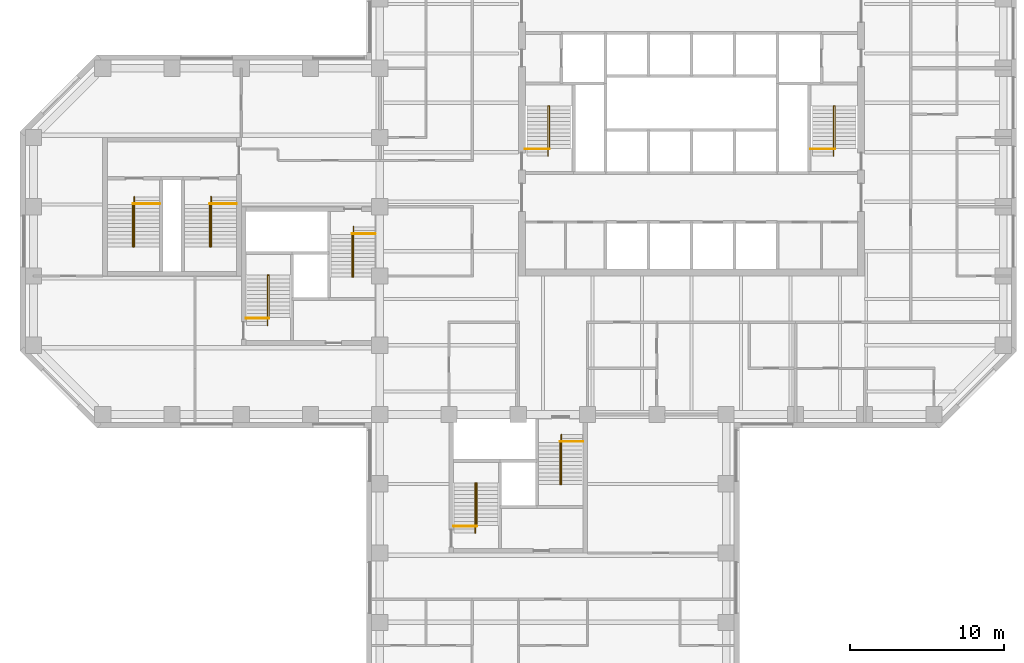
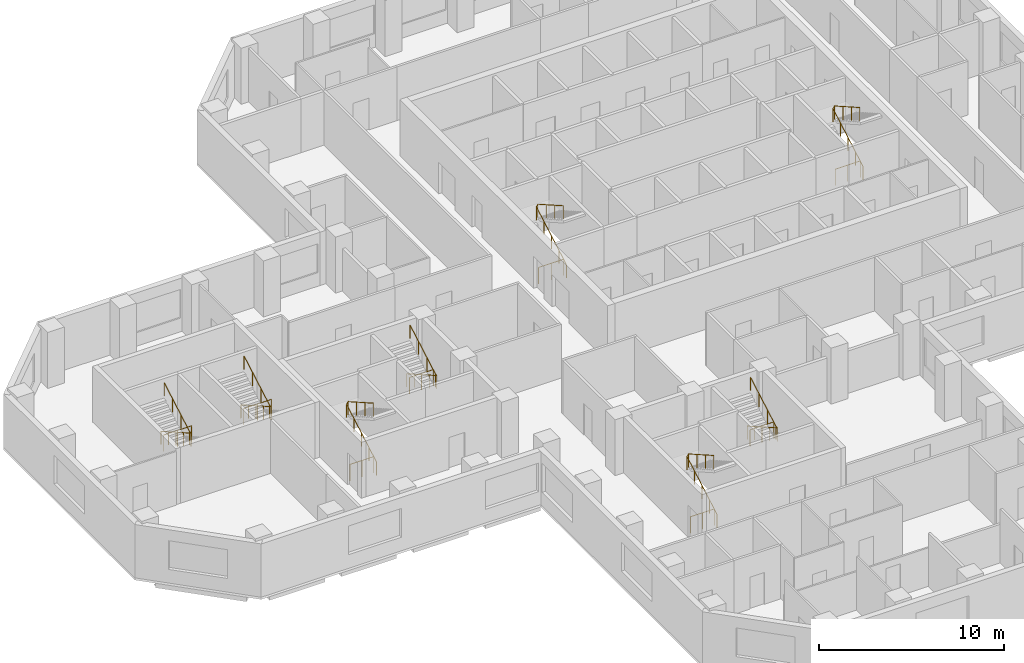
# One storey, part 11 of 11: 16 railings.
"""IFC4 building model written with IfcOpenShell, lengths in metres."""

from ifc_helpers import new_model, si_unit, direction, frame, origin, origin_2d, place, context, subcontext, project, spatial, circle, extrude, material, type_object, element, save


model = new_model("IFC4")

# Units and contexts
model_context = context("Model", 3, precision=1e-05, world=origin(), true_north=direction((0.0, 1.0)))
body_context = subcontext(model_context, "Body", "Model", "MODEL_VIEW")
ifc_project = project(units=[si_unit("LENGTHUNIT", "METRE"), si_unit("AREAUNIT", "SQUARE_METRE"), si_unit("VOLUMEUNIT", "CUBIC_METRE"), si_unit("PLANEANGLEUNIT", "RADIAN"), si_unit("MASSUNIT", "GRAM", prefix="KILO")], contexts=[model_context])

# Site, building, storey
site_placement = place(None, origin())
site = spatial("IfcSite", under=ifc_project, at=site_placement, CompositionType="ELEMENT")
building_placement = place(site_placement, origin())
building = spatial("IfcBuilding", under=site, at=building_placement, Name="Quoin Convention Tower", CompositionType="ELEMENT")
storey_placement = place(building_placement, frame((0.0, 0.0, 130.699951171875)))
storey = spatial("IfcBuildingStorey", under=building, at=storey_placement, Name="L34", CompositionType="ELEMENT", Elevation=130.699951171875)

# Railings
ifc_material = material(Name="Stainless steel", Category="steel")
railing_type_1 = type_object("IfcRailingType", Name="Stair handrail 900", PredefinedType="HANDRAIL", material=ifc_material)
railing_1_placement = place(storey_placement, frame((46.929931640625, 57.300048828125, 0.142333984375)))
element("IfcRailing", 1, at=railing_1_placement, inside=storey, type_object=railing_type_1, Name="SD1 handrail 1", PredefinedType="HANDRAIL", context=body_context, shape_type="SweptSolid", body=[
    extrude(circle(Radius=0.02392578125, at=origin_2d()), frame((0.0, 0.0, 0.8759765625), z_axis=(0.0, 0.869053504361, 0.494718108177), x_axis=(-1.0, 0.0, 0.0)), (0.0, 0.0, 1.0), 3.73974609375),
    extrude(circle(Radius=0.02392578125, at=origin_2d()), frame((0.0, 3.25, 2.72607421875), z_axis=(0.53481069233, 0.0, 0.844971906852), x_axis=(0.0, 1.0, 0.0)), (0.0, 0.0, 1.0), 0.16845703125),
    extrude(circle(Radius=0.02392578125, at=origin_2d()), frame((0.090087890625, 3.25, 2.8681640625), z_axis=(0.0, -0.869091777644, 0.494650868828), x_axis=(1.0, 0.0, 0.0)), (0.0, 0.0, 1.0), 3.164306640625),
    extrude(circle(Radius=0.02099609375, at=origin_2d()), origin(), (0.0, 0.0, 1.0), 0.851806640625),
    extrude(circle(Radius=0.02099609375, at=origin_2d()), frame((0.0, 0.8125, 0.46240234375)), (0.0, 0.0, 1.0), 0.851806640625),
    extrude(circle(Radius=0.02099609375, at=origin_2d()), frame((0.0, 1.625, 0.925048828125)), (0.0, 0.0, 1.0), 0.851806640625),
    extrude(circle(Radius=0.02099609375, at=origin_2d()), frame((0.0, 2.4375, 1.3876953125)), (0.0, 0.0, 1.0), 0.851806640625),
    extrude(circle(Radius=0.02099609375, at=origin_2d()), frame((0.0, 3.25, 1.85009765625)), (0.0, 0.0, 1.0), 0.851806640625),
    extrude(circle(Radius=0.02099609375, at=origin_2d()), frame((0.090087890625, 3.25, 1.992431640625)), (0.0, 0.0, 1.0), 0.851806640625),
    extrude(circle(Radius=0.02099609375, at=origin_2d()), frame((0.090087890625, 2.333251953125, 2.51416015625)), (0.0, 0.0, 1.0), 0.851806640625),
    extrude(circle(Radius=0.02099609375, at=origin_2d()), frame((0.090087890625, 1.416748046875, 3.035888671875)), (0.0, 0.0, 1.0), 0.851806640625),
    extrude(circle(Radius=0.02099609375, at=origin_2d()), frame((0.090087890625, 0.5, 3.5576171875)), (0.0, 0.0, 1.0), 0.851806640625),
])
railing_2_placement = place(storey_placement, frame((65.47998046875, 57.300048828125, 0.142333984375)))
element("IfcRailing", 2, at=railing_2_placement, inside=storey, type_object=railing_type_1, Name="SD2 handrail 1", PredefinedType="HANDRAIL", context=body_context, shape_type="SweptSolid", body=[
    extrude(circle(Radius=0.02392578125, at=origin_2d()), frame((0.0, 0.0, 0.8759765625), z_axis=(0.0, 0.869053504361, 0.494718108177), x_axis=(-1.0, 0.0, 0.0)), (0.0, 0.0, 1.0), 3.73974609375),
    extrude(circle(Radius=0.02392578125, at=origin_2d()), frame((0.0, 3.25, 2.72607421875), z_axis=(0.53481069233, 0.0, 0.844971906852), x_axis=(0.0, 1.0, 0.0)), (0.0, 0.0, 1.0), 0.16845703125),
    extrude(circle(Radius=0.02392578125, at=origin_2d()), frame((0.090087890625, 3.25, 2.8681640625), z_axis=(0.0, -0.869091777644, 0.494650868828), x_axis=(1.0, 0.0, 0.0)), (0.0, 0.0, 1.0), 3.164306640625),
    extrude(circle(Radius=0.02099609375, at=origin_2d()), origin(), (0.0, 0.0, 1.0), 0.851806640625),
    extrude(circle(Radius=0.02099609375, at=origin_2d()), frame((0.0, 0.8125, 0.46240234375)), (0.0, 0.0, 1.0), 0.851806640625),
    extrude(circle(Radius=0.02099609375, at=origin_2d()), frame((0.0, 1.625, 0.925048828125)), (0.0, 0.0, 1.0), 0.851806640625),
    extrude(circle(Radius=0.02099609375, at=origin_2d()), frame((0.0, 2.4375, 1.3876953125)), (0.0, 0.0, 1.0), 0.851806640625),
    extrude(circle(Radius=0.02099609375, at=origin_2d()), frame((0.0, 3.25, 1.85009765625)), (0.0, 0.0, 1.0), 0.851806640625),
    extrude(circle(Radius=0.02099609375, at=origin_2d()), frame((0.090087890625, 3.25, 1.992431640625)), (0.0, 0.0, 1.0), 0.851806640625),
    extrude(circle(Radius=0.02099609375, at=origin_2d()), frame((0.090087890625, 2.333251953125, 2.51416015625)), (0.0, 0.0, 1.0), 0.851806640625),
    extrude(circle(Radius=0.02099609375, at=origin_2d()), frame((0.090087890625, 1.416748046875, 3.035888671875)), (0.0, 0.0, 1.0), 0.851806640625),
    extrude(circle(Radius=0.02099609375, at=origin_2d()), frame((0.090087890625, 0.5, 3.5576171875)), (0.0, 0.0, 1.0), 0.851806640625),
])
railing_3_placement = place(storey_placement, frame((28.705078125, 46.300048828125, 0.142333984375)))
element("IfcRailing", 3, at=railing_3_placement, inside=storey, type_object=railing_type_1, Name="SD3 handrail 1", PredefinedType="HANDRAIL", context=body_context, shape_type="SweptSolid", body=[
    extrude(circle(Radius=0.02392578125, at=origin_2d()), frame((0.0, 0.0, 0.8759765625), z_axis=(0.0, 0.869053504361, 0.494718108177), x_axis=(-1.0, 0.0, 0.0)), (0.0, 0.0, 1.0), 3.73974609375),
    extrude(circle(Radius=0.02392578125, at=origin_2d()), frame((0.0, 3.25, 2.72607421875), z_axis=(0.533774684331, 0.0, 0.845626741753), x_axis=(0.0, 1.0, 0.0)), (0.0, 0.0, 1.0), 0.168212890625),
    extrude(circle(Radius=0.02392578125, at=origin_2d()), frame((0.08984375, 3.25, 2.8681640625), z_axis=(0.0, -0.869091777644, 0.494650868828), x_axis=(1.0, 0.0, 0.0)), (0.0, 0.0, 1.0), 3.164306640625),
    extrude(circle(Radius=0.02099609375, at=origin_2d()), origin(), (0.0, 0.0, 1.0), 0.851806640625),
    extrude(circle(Radius=0.02099609375, at=origin_2d()), frame((0.0, 0.8125, 0.46240234375)), (0.0, 0.0, 1.0), 0.851806640625),
    extrude(circle(Radius=0.02099609375, at=origin_2d()), frame((0.0, 1.625, 0.925048828125)), (0.0, 0.0, 1.0), 0.851806640625),
    extrude(circle(Radius=0.02099609375, at=origin_2d()), frame((0.0, 2.4375, 1.3876953125)), (0.0, 0.0, 1.0), 0.851806640625),
    extrude(circle(Radius=0.02099609375, at=origin_2d()), frame((0.0, 3.25, 1.85009765625)), (0.0, 0.0, 1.0), 0.851806640625),
    extrude(circle(Radius=0.02099609375, at=origin_2d()), frame((0.08984375, 3.25, 1.992431640625)), (0.0, 0.0, 1.0), 0.851806640625),
    extrude(circle(Radius=0.02099609375, at=origin_2d()), frame((0.08984375, 2.333251953125, 2.51416015625)), (0.0, 0.0, 1.0), 0.851806640625),
    extrude(circle(Radius=0.02099609375, at=origin_2d()), frame((0.08984375, 1.416748046875, 3.035888671875)), (0.0, 0.0, 1.0), 0.851806640625),
    extrude(circle(Radius=0.02099609375, at=origin_2d()), frame((0.08984375, 0.5, 3.5576171875)), (0.0, 0.0, 1.0), 0.851806640625),
])
railing_4_placement = place(storey_placement, frame((34.294921875, 52.699951171875, 0.142333984375)))
element("IfcRailing", 4, at=railing_4_placement, inside=storey, type_object=railing_type_1, Name="SD4 handrail 1", PredefinedType="HANDRAIL", context=body_context, shape_type="SweptSolid", body=[
    extrude(circle(Radius=0.02392578125, at=origin_2d()), frame((0.0, 0.0, 0.8759765625), z_axis=(0.0, -0.869053504361, 0.494718108177), x_axis=(1.0, 0.0, 0.0)), (0.0, 0.0, 1.0), 3.73974609375),
    extrude(circle(Radius=0.02392578125, at=origin_2d()), frame((0.0, -3.25, 2.72607421875), z_axis=(-0.533774684331, 0.0, 0.845626741753), x_axis=(0.0, -1.0, 0.0)), (0.0, 0.0, 1.0), 0.168212890625),
    extrude(circle(Radius=0.02392578125, at=origin_2d()), frame((-0.08984375, -3.25, 2.8681640625), z_axis=(0.0, 0.869091777644, 0.494650868828), x_axis=(-1.0, 0.0, 0.0)), (0.0, 0.0, 1.0), 3.164306640625),
    extrude(circle(Radius=0.02099609375, at=origin_2d()), origin(), (0.0, 0.0, 1.0), 0.851806640625),
    extrude(circle(Radius=0.02099609375, at=origin_2d()), frame((0.0, -0.8125, 0.46240234375)), (0.0, 0.0, 1.0), 0.851806640625),
    extrude(circle(Radius=0.02099609375, at=origin_2d()), frame((0.0, -1.625, 0.925048828125)), (0.0, 0.0, 1.0), 0.851806640625),
    extrude(circle(Radius=0.02099609375, at=origin_2d()), frame((0.0, -2.4375, 1.3876953125)), (0.0, 0.0, 1.0), 0.851806640625),
    extrude(circle(Radius=0.02099609375, at=origin_2d()), frame((0.0, -3.25, 1.85009765625)), (0.0, 0.0, 1.0), 0.851806640625),
    extrude(circle(Radius=0.02099609375, at=origin_2d()), frame((-0.08984375, -3.25, 1.992431640625)), (0.0, 0.0, 1.0), 0.851806640625),
    extrude(circle(Radius=0.02099609375, at=origin_2d()), frame((-0.08984375, -2.333251953125, 2.51416015625)), (0.0, 0.0, 1.0), 0.851806640625),
    extrude(circle(Radius=0.02099609375, at=origin_2d()), frame((-0.08984375, -1.416748046875, 3.035888671875)), (0.0, 0.0, 1.0), 0.851806640625),
    extrude(circle(Radius=0.02099609375, at=origin_2d()), frame((-0.08984375, -0.5, 3.5576171875)), (0.0, 0.0, 1.0), 0.851806640625),
])
railing_5_placement = place(storey_placement, frame((42.205078125, 32.800048828125, 0.142333984375)))
element("IfcRailing", 5, at=railing_5_placement, inside=storey, type_object=railing_type_1, Name="SD5 handrail 1", PredefinedType="HANDRAIL", context=body_context, shape_type="SweptSolid", body=[
    extrude(circle(Radius=0.02392578125, at=origin_2d()), frame((0.0, 0.0, 0.8759765625), z_axis=(0.0, 0.869053504361, 0.494718108177), x_axis=(-1.0, 0.0, 0.0)), (0.0, 0.0, 1.0), 3.73974609375),
    extrude(circle(Radius=0.02392578125, at=origin_2d()), frame((0.0, 3.25, 2.72607421875), z_axis=(0.533774684331, 0.0, 0.845626741753), x_axis=(0.0, 1.0, 0.0)), (0.0, 0.0, 1.0), 0.168212890625),
    extrude(circle(Radius=0.02392578125, at=origin_2d()), frame((0.08984375, 3.25, 2.8681640625), z_axis=(0.0, -0.869091777644, 0.494650868828), x_axis=(1.0, 0.0, 0.0)), (0.0, 0.0, 1.0), 3.164306640625),
    extrude(circle(Radius=0.02099609375, at=origin_2d()), origin(), (0.0, 0.0, 1.0), 0.851806640625),
    extrude(circle(Radius=0.02099609375, at=origin_2d()), frame((0.0, 0.8125, 0.46240234375)), (0.0, 0.0, 1.0), 0.851806640625),
    extrude(circle(Radius=0.02099609375, at=origin_2d()), frame((0.0, 1.625, 0.925048828125)), (0.0, 0.0, 1.0), 0.851806640625),
    extrude(circle(Radius=0.02099609375, at=origin_2d()), frame((0.0, 2.4375, 1.3876953125)), (0.0, 0.0, 1.0), 0.851806640625),
    extrude(circle(Radius=0.02099609375, at=origin_2d()), frame((0.0, 3.25, 1.85009765625)), (0.0, 0.0, 1.0), 0.851806640625),
    extrude(circle(Radius=0.02099609375, at=origin_2d()), frame((0.08984375, 3.25, 1.992431640625)), (0.0, 0.0, 1.0), 0.851806640625),
    extrude(circle(Radius=0.02099609375, at=origin_2d()), frame((0.08984375, 2.333251953125, 2.51416015625)), (0.0, 0.0, 1.0), 0.851806640625),
    extrude(circle(Radius=0.02099609375, at=origin_2d()), frame((0.08984375, 1.416748046875, 3.035888671875)), (0.0, 0.0, 1.0), 0.851806640625),
    extrude(circle(Radius=0.02099609375, at=origin_2d()), frame((0.08984375, 0.5, 3.5576171875)), (0.0, 0.0, 1.0), 0.851806640625),
])
railing_6_placement = place(storey_placement, frame((47.794921875, 39.199951171875, 0.142333984375)))
element("IfcRailing", 6, at=railing_6_placement, inside=storey, type_object=railing_type_1, Name="SD6 handrail 1", PredefinedType="HANDRAIL", context=body_context, shape_type="SweptSolid", body=[
    extrude(circle(Radius=0.02392578125, at=origin_2d()), frame((0.0, 0.0, 0.8759765625), z_axis=(0.0, -0.869053504361, 0.494718108177), x_axis=(1.0, 0.0, 0.0)), (0.0, 0.0, 1.0), 3.73974609375),
    extrude(circle(Radius=0.02392578125, at=origin_2d()), frame((0.0, -3.25, 2.72607421875), z_axis=(-0.533774684331, 0.0, 0.845626741753), x_axis=(0.0, -1.0, 0.0)), (0.0, 0.0, 1.0), 0.168212890625),
    extrude(circle(Radius=0.02392578125, at=origin_2d()), frame((-0.08984375, -3.25, 2.8681640625), z_axis=(0.0, 0.869091777644, 0.494650868828), x_axis=(-1.0, 0.0, 0.0)), (0.0, 0.0, 1.0), 3.164306640625),
    extrude(circle(Radius=0.02099609375, at=origin_2d()), origin(), (0.0, 0.0, 1.0), 0.851806640625),
    extrude(circle(Radius=0.02099609375, at=origin_2d()), frame((0.0, -0.8125, 0.46240234375)), (0.0, 0.0, 1.0), 0.851806640625),
    extrude(circle(Radius=0.02099609375, at=origin_2d()), frame((0.0, -1.625, 0.925048828125)), (0.0, 0.0, 1.0), 0.851806640625),
    extrude(circle(Radius=0.02099609375, at=origin_2d()), frame((0.0, -2.4375, 1.3876953125)), (0.0, 0.0, 1.0), 0.851806640625),
    extrude(circle(Radius=0.02099609375, at=origin_2d()), frame((0.0, -3.25, 1.85009765625)), (0.0, 0.0, 1.0), 0.851806640625),
    extrude(circle(Radius=0.02099609375, at=origin_2d()), frame((-0.08984375, -3.25, 1.992431640625)), (0.0, 0.0, 1.0), 0.851806640625),
    extrude(circle(Radius=0.02099609375, at=origin_2d()), frame((-0.08984375, -2.333251953125, 2.51416015625)), (0.0, 0.0, 1.0), 0.851806640625),
    extrude(circle(Radius=0.02099609375, at=origin_2d()), frame((-0.08984375, -1.416748046875, 3.035888671875)), (0.0, 0.0, 1.0), 0.851806640625),
    extrude(circle(Radius=0.02099609375, at=origin_2d()), frame((-0.08984375, -0.5, 3.5576171875)), (0.0, 0.0, 1.0), 0.851806640625),
])
railing_7_placement = place(storey_placement, frame((20.044921875, 54.64990234375, 0.142333984375)))
element("IfcRailing", 7, at=railing_7_placement, inside=storey, type_object=railing_type_1, Name="SD11 handrail 1", PredefinedType="HANDRAIL", context=body_context, shape_type="SweptSolid", body=[
    extrude(circle(Radius=0.02392578125, at=origin_2d()), frame((0.0, 0.0, 0.8759765625), z_axis=(0.0, -0.869053504361, 0.494718108177), x_axis=(1.0, 0.0, 0.0)), (0.0, 0.0, 1.0), 3.73974609375),
    extrude(circle(Radius=0.02392578125, at=origin_2d()), frame((0.0, -3.25, 2.72607421875), z_axis=(-0.533774684331, 0.0, 0.845626741753), x_axis=(0.0, -1.0, 0.0)), (0.0, 0.0, 1.0), 0.168212890625),
    extrude(circle(Radius=0.02392578125, at=origin_2d()), frame((-0.08984375, -3.25, 2.8681640625), z_axis=(0.0, 0.869091777644, 0.494650868828), x_axis=(-1.0, 0.0, 0.0)), (0.0, 0.0, 1.0), 3.164306640625),
    extrude(circle(Radius=0.02099609375, at=origin_2d()), origin(), (0.0, 0.0, 1.0), 0.851806640625),
    extrude(circle(Radius=0.02099609375, at=origin_2d()), frame((0.0, -0.8125, 0.46240234375)), (0.0, 0.0, 1.0), 0.851806640625),
    extrude(circle(Radius=0.02099609375, at=origin_2d()), frame((0.0, -1.625, 0.925048828125)), (0.0, 0.0, 1.0), 0.851806640625),
    extrude(circle(Radius=0.02099609375, at=origin_2d()), frame((0.0, -2.4375, 1.3876953125)), (0.0, 0.0, 1.0), 0.851806640625),
    extrude(circle(Radius=0.02099609375, at=origin_2d()), frame((0.0, -3.25, 1.85009765625)), (0.0, 0.0, 1.0), 0.851806640625),
    extrude(circle(Radius=0.02099609375, at=origin_2d()), frame((-0.08984375, -3.25, 1.992431640625)), (0.0, 0.0, 1.0), 0.851806640625),
    extrude(circle(Radius=0.02099609375, at=origin_2d()), frame((-0.08984375, -2.333251953125, 2.51416015625)), (0.0, 0.0, 1.0), 0.851806640625),
    extrude(circle(Radius=0.02099609375, at=origin_2d()), frame((-0.08984375, -1.416748046875, 3.035888671875)), (0.0, 0.0, 1.0), 0.851806640625),
    extrude(circle(Radius=0.02099609375, at=origin_2d()), frame((-0.08984375, -0.5, 3.5576171875)), (0.0, 0.0, 1.0), 0.851806640625),
])
railing_8_placement = place(storey_placement, frame((25.044921875, 54.64990234375, 0.142333984375)))
element("IfcRailing", 8, at=railing_8_placement, inside=storey, type_object=railing_type_1, Name="SD12 handrail 1", PredefinedType="HANDRAIL", context=body_context, shape_type="SweptSolid", body=[
    extrude(circle(Radius=0.02392578125, at=origin_2d()), frame((0.0, 0.0, 0.8759765625), z_axis=(0.0, -0.869053504361, 0.494718108177), x_axis=(1.0, 0.0, 0.0)), (0.0, 0.0, 1.0), 3.73974609375),
    extrude(circle(Radius=0.02392578125, at=origin_2d()), frame((0.0, -3.25, 2.72607421875), z_axis=(-0.533774684331, 0.0, 0.845626741753), x_axis=(0.0, -1.0, 0.0)), (0.0, 0.0, 1.0), 0.168212890625),
    extrude(circle(Radius=0.02392578125, at=origin_2d()), frame((-0.08984375, -3.25, 2.8681640625), z_axis=(0.0, 0.869091777644, 0.494650868828), x_axis=(-1.0, 0.0, 0.0)), (0.0, 0.0, 1.0), 3.164306640625),
    extrude(circle(Radius=0.02099609375, at=origin_2d()), origin(), (0.0, 0.0, 1.0), 0.851806640625),
    extrude(circle(Radius=0.02099609375, at=origin_2d()), frame((0.0, -0.8125, 0.46240234375)), (0.0, 0.0, 1.0), 0.851806640625),
    extrude(circle(Radius=0.02099609375, at=origin_2d()), frame((0.0, -1.625, 0.925048828125)), (0.0, 0.0, 1.0), 0.851806640625),
    extrude(circle(Radius=0.02099609375, at=origin_2d()), frame((0.0, -2.4375, 1.3876953125)), (0.0, 0.0, 1.0), 0.851806640625),
    extrude(circle(Radius=0.02099609375, at=origin_2d()), frame((0.0, -3.25, 1.85009765625)), (0.0, 0.0, 1.0), 0.851806640625),
    extrude(circle(Radius=0.02099609375, at=origin_2d()), frame((-0.08984375, -3.25, 1.992431640625)), (0.0, 0.0, 1.0), 0.851806640625),
    extrude(circle(Radius=0.02099609375, at=origin_2d()), frame((-0.08984375, -2.333251953125, 2.51416015625)), (0.0, 0.0, 1.0), 0.851806640625),
    extrude(circle(Radius=0.02099609375, at=origin_2d()), frame((-0.08984375, -1.416748046875, 3.035888671875)), (0.0, 0.0, 1.0), 0.851806640625),
    extrude(circle(Radius=0.02099609375, at=origin_2d()), frame((-0.08984375, -0.5, 3.5576171875)), (0.0, 0.0, 1.0), 0.851806640625),
])
railing_type_2 = type_object("IfcRailingType", Name="Stair top guard 1100", PredefinedType="GUARDRAIL", material=ifc_material)
for number, where, name in (
    (9, (45.449951171875, 57.75, 0.0), "SD1 top guard"),
    (10, (64.0, 57.75, 0.0), "SD2 top guard"),
):
    element("IfcRailing", number, at=place(storey_placement, frame(where)), inside=storey, type_object=railing_type_2, Name=name, PredefinedType="GUARDRAIL", context=body_context, shape_type="SweptSolid", body=[
        extrude(circle(Radius=0.02392578125, at=origin_2d()), frame((0.0, 0.0, 1.076171875), z_axis=(1.0, 0.0, 0.0), x_axis=(0.0, 1.0, 0.0)), (0.0, 0.0, 1.0), 1.570068359375),
        extrude(circle(Radius=0.02099609375, at=origin_2d()), origin(), (0.0, 0.0, 1.0), 1.052001953125),
        extrude(circle(Radius=0.02099609375, at=origin_2d()), frame((0.78515625, 0.0, 0.0)), (0.0, 0.0, 1.0), 1.052001953125),
        extrude(circle(Radius=0.02099609375, at=origin_2d()), frame((1.570068359375, 0.0, 0.0)), (0.0, 0.0, 1.0), 1.052001953125),
    ])
railing_9_placement = place(storey_placement, frame((27.300048828125, 46.75, 0.0)))
element("IfcRailing", 11, at=railing_9_placement, inside=storey, type_object=railing_type_2, Name="SD3 top guard", PredefinedType="GUARDRAIL", context=body_context, shape_type="SweptSolid", body=[
    extrude(circle(Radius=0.02392578125, at=origin_2d()), frame((0.0, 0.0, 1.076171875), z_axis=(1.0, 0.0, 0.0), x_axis=(0.0, 1.0, 0.0)), (0.0, 0.0, 1.0), 1.494873046875),
    extrude(circle(Radius=0.02099609375, at=origin_2d()), origin(), (0.0, 0.0, 1.0), 1.052001953125),
    extrude(circle(Radius=0.02099609375, at=origin_2d()), frame((0.74755859375, 0.0, 0.0)), (0.0, 0.0, 1.0), 1.052001953125),
    extrude(circle(Radius=0.02099609375, at=origin_2d()), frame((1.494873046875, 0.0, 0.0)), (0.0, 0.0, 1.0), 1.052001953125),
])
railing_10_placement = place(storey_placement, frame((35.699951171875, 52.25, 0.0)))
element("IfcRailing", 12, at=railing_10_placement, inside=storey, type_object=railing_type_2, Name="SD4 top guard", PredefinedType="GUARDRAIL", context=body_context, shape_type="SweptSolid", body=[
    extrude(circle(Radius=0.02392578125, at=origin_2d()), frame((0.0, 0.0, 1.076171875), z_axis=(-1.0, 0.0, 0.0), x_axis=(0.0, -1.0, 0.0)), (0.0, 0.0, 1.0), 1.494873046875),
    extrude(circle(Radius=0.02099609375, at=origin_2d()), origin(), (0.0, 0.0, 1.0), 1.052001953125),
    extrude(circle(Radius=0.02099609375, at=origin_2d()), frame((-0.74755859375, 0.0, 0.0)), (0.0, 0.0, 1.0), 1.052001953125),
    extrude(circle(Radius=0.02099609375, at=origin_2d()), frame((-1.494873046875, 0.0, 0.0)), (0.0, 0.0, 1.0), 1.052001953125),
])
railing_11_placement = place(storey_placement, frame((40.800048828125, 33.25, 0.0)))
element("IfcRailing", 13, at=railing_11_placement, inside=storey, type_object=railing_type_2, Name="SD5 top guard", PredefinedType="GUARDRAIL", context=body_context, shape_type="SweptSolid", body=[
    extrude(circle(Radius=0.02392578125, at=origin_2d()), frame((0.0, 0.0, 1.076171875), z_axis=(1.0, 0.0, 0.0), x_axis=(0.0, 1.0, 0.0)), (0.0, 0.0, 1.0), 1.494873046875),
    extrude(circle(Radius=0.02099609375, at=origin_2d()), origin(), (0.0, 0.0, 1.0), 1.052001953125),
    extrude(circle(Radius=0.02099609375, at=origin_2d()), frame((0.74755859375, 0.0, 0.0)), (0.0, 0.0, 1.0), 1.052001953125),
    extrude(circle(Radius=0.02099609375, at=origin_2d()), frame((1.494873046875, 0.0, 0.0)), (0.0, 0.0, 1.0), 1.052001953125),
])
railing_12_placement = place(storey_placement, frame((49.199951171875, 38.75, 0.0)))
element("IfcRailing", 14, at=railing_12_placement, inside=storey, type_object=railing_type_2, Name="SD6 top guard", PredefinedType="GUARDRAIL", context=body_context, shape_type="SweptSolid", body=[
    extrude(circle(Radius=0.02392578125, at=origin_2d()), frame((0.0, 0.0, 1.076171875), z_axis=(-1.0, 0.0, 0.0), x_axis=(0.0, -1.0, 0.0)), (0.0, 0.0, 1.0), 1.494873046875),
    extrude(circle(Radius=0.02099609375, at=origin_2d()), origin(), (0.0, 0.0, 1.0), 1.052001953125),
    extrude(circle(Radius=0.02099609375, at=origin_2d()), frame((-0.74755859375, 0.0, 0.0)), (0.0, 0.0, 1.0), 1.052001953125),
    extrude(circle(Radius=0.02099609375, at=origin_2d()), frame((-1.494873046875, 0.0, 0.0)), (0.0, 0.0, 1.0), 1.052001953125),
])
for number, where, name in (
    (15, (21.699951171875, 54.199951171875, 0.0), "SD11 top guard"),
    (16, (26.699951171875, 54.199951171875, 0.0), "SD12 top guard"),
):
    element("IfcRailing", number, at=place(storey_placement, frame(where)), inside=storey, type_object=railing_type_2, Name=name, PredefinedType="GUARDRAIL", context=body_context, shape_type="SweptSolid", body=[
        extrude(circle(Radius=0.02392578125, at=origin_2d()), frame((0.0, 0.0, 1.076171875), z_axis=(-1.0, 0.0, 0.0), x_axis=(0.0, -1.0, 0.0)), (0.0, 0.0, 1.0), 1.744873046875),
        extrude(circle(Radius=0.02099609375, at=origin_2d()), origin(), (0.0, 0.0, 1.0), 1.052001953125),
        extrude(circle(Radius=0.02099609375, at=origin_2d()), frame((-0.87255859375, 0.0, 0.0)), (0.0, 0.0, 1.0), 1.052001953125),
        extrude(circle(Radius=0.02099609375, at=origin_2d()), frame((-1.744873046875, 0.0, 0.0)), (0.0, 0.0, 1.0), 1.052001953125),
    ])

save(model, "model.ifc")
